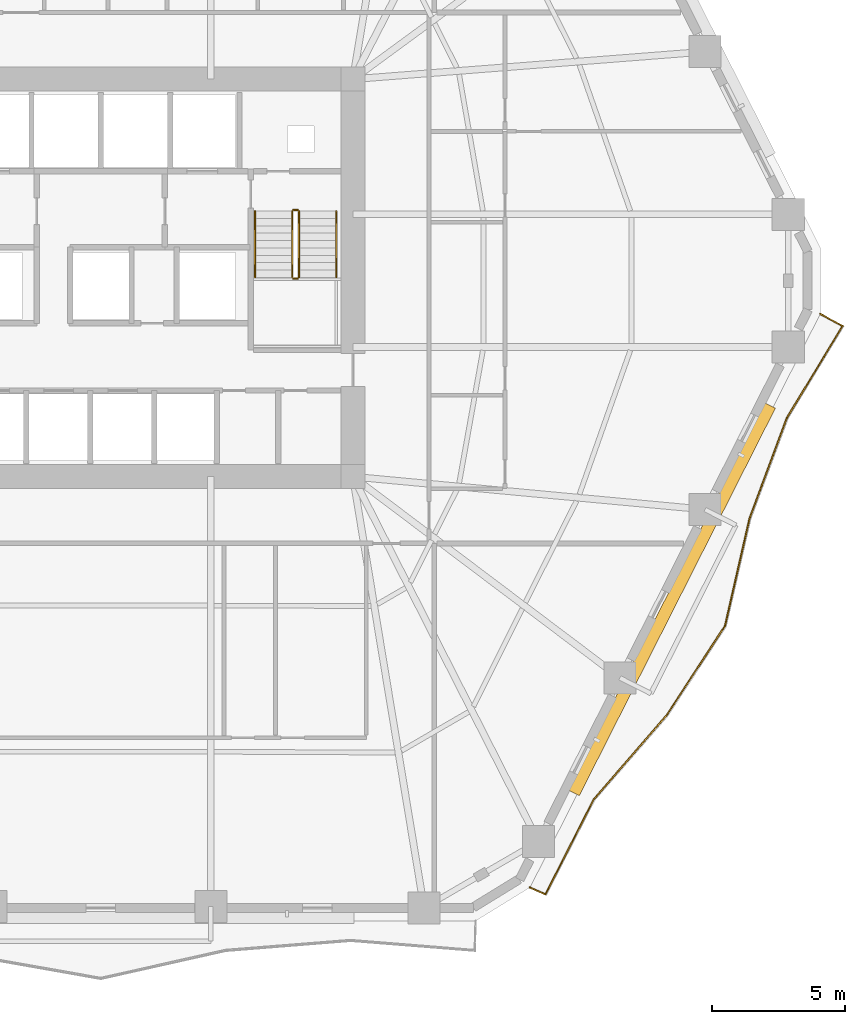
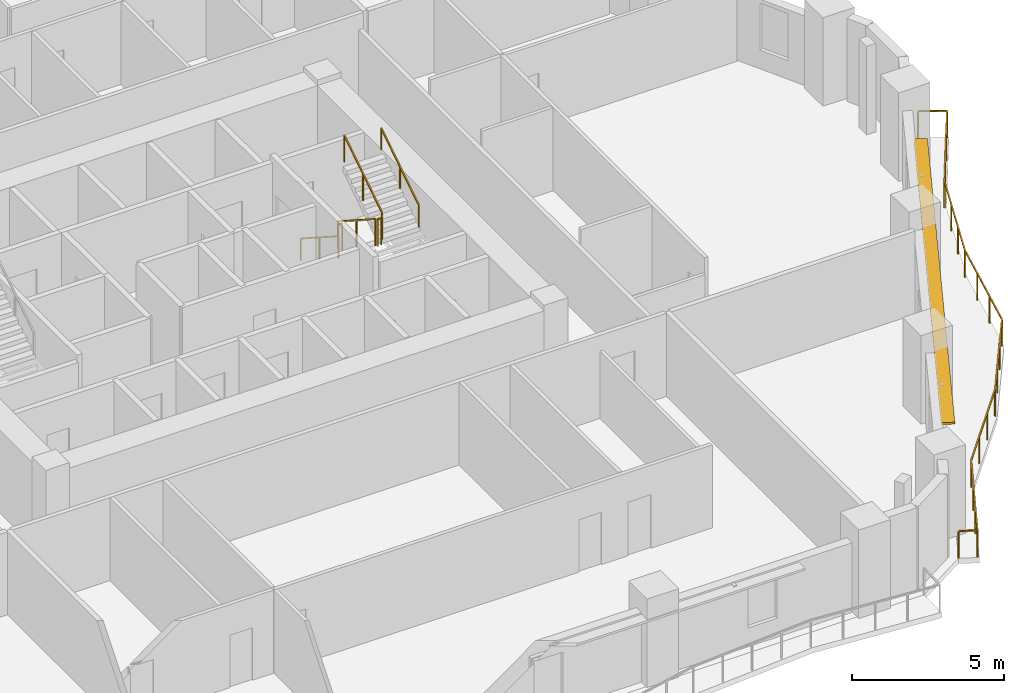
# One storey, part 12 of 13: 7 railings, 1 shading device.
"""IFC4 building model written with IfcOpenShell, lengths in metres."""

from ifc_helpers import new_model, si_unit, direction, frame, origin, origin_2d, place, context, subcontext, project, spatial, rectangle, extrude, material, layer, layer_set, type_object, element, save


model = new_model("IFC4")

# Units and contexts
model_context = context("Model", 3, precision=1e-05, world=origin(), true_north=direction((0.0, 1.0)))
body_context = subcontext(model_context, "Body", "Model", "MODEL_VIEW")
ifc_project = project(units=[si_unit("LENGTHUNIT", "METRE"), si_unit("AREAUNIT", "SQUARE_METRE"), si_unit("VOLUMEUNIT", "CUBIC_METRE"), si_unit("PLANEANGLEUNIT", "RADIAN"), si_unit("MASSUNIT", "GRAM", prefix="KILO")], contexts=[model_context])

# Site, building, storey
site_placement = place(None, origin())
site = spatial("IfcSite", under=ifc_project, at=site_placement, CompositionType="ELEMENT")
building_placement = place(site_placement, origin())
building = spatial("IfcBuilding", under=site, at=building_placement, Name="Cinnabar Lancet Tower", CompositionType="ELEMENT")
storey_placement = place(building_placement, frame((0.0, 0.0, 49.75)))
storey = spatial("IfcBuildingStorey", under=building, at=storey_placement, Name="L12", CompositionType="ELEMENT", Elevation=49.75)

# Railing
ifc_material_1 = material(Name="Laminated safety glass and bronze stainless steel balustrade", Category="steel")
railing_type_1 = type_object("IfcRailingType", Name="ENV-RLG-BAL-1100", PredefinedType="BALUSTRADE", material=ifc_material_1)
railing_1_placement = place(storey_placement, frame((48.488037109375, 3.049072265625, 0.0)))
element("IfcRailing", 1, at=railing_1_placement, inside=storey, type_object=railing_type_1, Name="L12 Face 2 Wave Balcony Balustrade", PredefinedType="BALUSTRADE", context=body_context, shape_type="SweptSolid", body=[
    extrude(rectangle(XDim=0.048095703125, YDim=0.048095703125, at=origin_2d()), frame((0.0, 0.0, 1.076171875), z_axis=(0.913986914897, -0.405743662178, 0.0), x_axis=(0.405743662178, 0.913986914897, 0.0)), (0.0, 0.0, 1.0), 0.631103515625),
    extrude(rectangle(XDim=0.048095703125, YDim=0.048095703125, at=origin_2d()), frame((0.576904296875, -0.256103515625, 1.076171875), z_axis=(0.45380351947, 0.891101770684, 0.0), x_axis=(-0.891101770684, 0.45380351947, 0.0)), (0.0, 0.0, 1.0), 4.008544921875),
    extrude(rectangle(XDim=0.048095703125, YDim=0.048095703125, at=origin_2d()), frame((2.39599609375, 3.31591796875, 1.076171875), z_axis=(0.655616601424, 0.75509394908, 0.0), x_axis=(-0.75509394908, 0.655616601424, 0.0)), (0.0, 0.0, 1.0), 4.13037109375),
    extrude(rectangle(XDim=0.048095703125, YDim=0.048095703125, at=origin_2d()), frame((5.10400390625, 6.434814453125, 1.076171875), z_axis=(0.547073099998, 0.837084836357, 0.0), x_axis=(-0.837084836357, 0.547073099998, 0.0)), (0.0, 0.0, 1.0), 4.03076171875),
    extrude(rectangle(XDim=0.048095703125, YDim=0.048095703125, at=origin_2d()), frame((7.30908203125, 9.808837890625, 1.076171875), z_axis=(0.222966191511, 0.974826178066, 0.0), x_axis=(-0.974826178066, 0.222966191511, 0.0)), (0.0, 0.0, 1.0), 4.125732421875),
    extrude(rectangle(XDim=0.048095703125, YDim=0.048095703125, at=origin_2d()), frame((8.22900390625, 13.830810546875, 1.076171875), z_axis=(0.348195650462, 0.937421884212, 0.0), x_axis=(-0.937421884212, 0.348195650462, 0.0)), (0.0, 0.0, 1.0), 4.032470703125),
    extrude(rectangle(XDim=0.048095703125, YDim=0.048095703125, at=origin_2d()), frame((9.633056640625, 17.61083984375, 1.076171875), z_axis=(0.517896302381, 0.855443405481, 0.0), x_axis=(-0.855443405481, 0.517896302381, 0.0)), (0.0, 0.0, 1.0), 4.017822265625),
    extrude(rectangle(XDim=0.048095703125, YDim=0.048095703125, at=origin_2d()), frame((11.7138671875, 21.0478515625, 1.076171875), z_axis=(-0.878249048772, 0.478203521872, 0.0), x_axis=(-0.478203521872, -0.878249048772, 0.0)), (0.0, 0.0, 1.0), 0.94970703125),
    extrude(rectangle(XDim=0.0419921875, YDim=0.0419921875, at=origin_2d()), origin(), (0.0, 0.0, 1.0), 1.052001953125),
    extrude(rectangle(XDim=0.0419921875, YDim=0.0419921875, at=origin_2d()), frame((0.576904296875, -0.256103515625, 0.0)), (0.0, 0.0, 1.0), 1.052001953125),
    extrude(rectangle(XDim=0.0419921875, YDim=0.0419921875, at=origin_2d()), frame((1.183349609375, 0.9345703125, 0.0)), (0.0, 0.0, 1.0), 1.052001953125),
    extrude(rectangle(XDim=0.0419921875, YDim=0.0419921875, at=origin_2d()), frame((1.78955078125, 2.125244140625, 0.0)), (0.0, 0.0, 1.0), 1.052001953125),
    extrude(rectangle(XDim=0.0419921875, YDim=0.0419921875, at=origin_2d()), frame((2.39599609375, 3.31591796875, 0.0)), (0.0, 0.0, 1.0), 1.052001953125),
    extrude(rectangle(XDim=0.0419921875, YDim=0.0419921875, at=origin_2d()), frame((3.298583984375, 4.35546875, 0.0)), (0.0, 0.0, 1.0), 1.052001953125),
    extrude(rectangle(XDim=0.0419921875, YDim=0.0419921875, at=origin_2d()), frame((4.201416015625, 5.395263671875, 0.0)), (0.0, 0.0, 1.0), 1.052001953125),
    extrude(rectangle(XDim=0.0419921875, YDim=0.0419921875, at=origin_2d()), frame((5.10400390625, 6.434814453125, 0.0)), (0.0, 0.0, 1.0), 1.052001953125),
    extrude(rectangle(XDim=0.0419921875, YDim=0.0419921875, at=origin_2d()), frame((5.839111328125, 7.5595703125, 0.0)), (0.0, 0.0, 1.0), 1.052001953125),
    extrude(rectangle(XDim=0.0419921875, YDim=0.0419921875, at=origin_2d()), frame((6.573974609375, 8.68408203125, 0.0)), (0.0, 0.0, 1.0), 1.052001953125),
    extrude(rectangle(XDim=0.0419921875, YDim=0.0419921875, at=origin_2d()), frame((7.30908203125, 9.808837890625, 0.0)), (0.0, 0.0, 1.0), 1.052001953125),
    extrude(rectangle(XDim=0.0419921875, YDim=0.0419921875, at=origin_2d()), frame((7.61572265625, 11.1494140625, 0.0)), (0.0, 0.0, 1.0), 1.052001953125),
    extrude(rectangle(XDim=0.0419921875, YDim=0.0419921875, at=origin_2d()), frame((7.92236328125, 12.490234375, 0.0)), (0.0, 0.0, 1.0), 1.052001953125),
    extrude(rectangle(XDim=0.0419921875, YDim=0.0419921875, at=origin_2d()), frame((8.22900390625, 13.830810546875, 0.0)), (0.0, 0.0, 1.0), 1.052001953125),
    extrude(rectangle(XDim=0.0419921875, YDim=0.0419921875, at=origin_2d()), frame((8.697021484375, 15.0908203125, 0.0)), (0.0, 0.0, 1.0), 1.052001953125),
    extrude(rectangle(XDim=0.0419921875, YDim=0.0419921875, at=origin_2d()), frame((9.1650390625, 16.350830078125, 0.0)), (0.0, 0.0, 1.0), 1.052001953125),
    extrude(rectangle(XDim=0.0419921875, YDim=0.0419921875, at=origin_2d()), frame((9.633056640625, 17.61083984375, 0.0)), (0.0, 0.0, 1.0), 1.052001953125),
    extrude(rectangle(XDim=0.0419921875, YDim=0.0419921875, at=origin_2d()), frame((10.32666015625, 18.756591796875, 0.0)), (0.0, 0.0, 1.0), 1.052001953125),
    extrude(rectangle(XDim=0.0419921875, YDim=0.0419921875, at=origin_2d()), frame((11.020263671875, 19.902099609375, 0.0)), (0.0, 0.0, 1.0), 1.052001953125),
    extrude(rectangle(XDim=0.0419921875, YDim=0.0419921875, at=origin_2d()), frame((11.7138671875, 21.0478515625, 0.0)), (0.0, 0.0, 1.0), 1.052001953125),
    extrude(rectangle(XDim=0.0419921875, YDim=0.0419921875, at=origin_2d()), frame((10.8798828125, 21.501953125, 0.0)), (0.0, 0.0, 1.0), 1.052001953125),
])

# Shading device
ifc_material_2 = material(Name="Pale limestone architectural aluminium sunshade", Category="masonry")
ifc_layer = layer(ifc_material_2, 0.080078125)
ifc_layer_set = layer_set([ifc_layer], Name="Pale limestone architectural aluminium sunshade")
shading_device_type = type_object("IfcShadingDeviceType", Name="ENV-SHD-LVR-450", PredefinedType="JALOUSIE", material=ifc_layer_set)
shading_device_placement = place(storey_placement, frame((53.81005859375, 13.85595703125, 2.639892578125), z_axis=(0.0, 0.0, 1.0), x_axis=(0.451500573218, 0.892270829056, 0.0)))
element("IfcShadingDevice", 2, at=shading_device_placement, inside=storey, type_object=shading_device_type, Name="L12 Face 2 Horizontal Sunshade Canopy", PredefinedType="JALOUSIE", context=body_context, shape_type="SweptSolid", body=[
    extrude(rectangle(XDim=16.279052734375, YDim=0.449951171875, at=origin_2d()), origin(), (0.0, 0.0, 1.0), 0.080078125),
])

# Railings
ifc_material_3 = material(Name="Painted galvanized steel balustrade", Category="steel")
railing_type_2 = type_object("IfcRailingType", Name="GUARD-STAIR", PredefinedType="GUARDRAIL", material=ifc_material_3)
railing_2_placement = place(storey_placement, frame((39.574951171875, 28.39990234375, 0.177490234375)))
element("IfcRailing", 3, at=railing_2_placement, inside=storey, type_object=railing_type_2, Name="L12 ST-2 stair guard 1", PredefinedType="GUARDRAIL", context=body_context, shape_type="SweptSolid", body=[
    extrude(rectangle(XDim=0.048095703125, YDim=0.048095703125, at=origin_2d()), frame((0.0, 0.0, 1.076171875), z_axis=(0.0, -0.840183358697, 0.542302428327), x_axis=(1.0, 0.0, 0.0)), (0.0, 0.0, 1.0), 2.945556640625),
    extrude(rectangle(XDim=0.0419921875, YDim=0.0419921875, at=origin_2d()), origin(), (0.0, 0.0, 1.0), 1.052001953125),
    extrude(rectangle(XDim=0.0419921875, YDim=0.0419921875, at=origin_2d()), frame((0.0, -1.2373046875, 0.798828125)), (0.0, 0.0, 1.0), 1.052001953125),
    extrude(rectangle(XDim=0.0419921875, YDim=0.0419921875, at=origin_2d()), frame((0.0, -2.474853515625, 1.597412109375)), (0.0, 0.0, 1.0), 1.052001953125),
])
railing_3_placement = place(storey_placement, frame((39.625, 25.875, 1.77490234375)))
element("IfcRailing", 4, at=railing_3_placement, inside=storey, type_object=railing_type_2, Name="L12 ST-2 stair guard 2", PredefinedType="GUARDRAIL", context=body_context, shape_type="SweptSolid", body=[
    extrude(rectangle(XDim=0.048095703125, YDim=0.048095703125, at=origin_2d()), frame((0.0, 0.0, 1.076171875), z_axis=(1.0, 0.0, 0.0), x_axis=(0.0, 1.0, 0.0)), (0.0, 0.0, 1.0), 0.14990234375),
    extrude(rectangle(XDim=0.0419921875, YDim=0.0419921875, at=origin_2d()), origin(), (0.0, 0.0, 1.0), 1.052001953125),
    extrude(rectangle(XDim=0.0419921875, YDim=0.0419921875, at=origin_2d()), frame((0.14990234375, 0.0, 0.0)), (0.0, 0.0, 1.0), 1.052001953125),
])
railing_4_placement = place(storey_placement, frame((39.824951171875, 25.925048828125, 1.952392578125)))
element("IfcRailing", 5, at=railing_4_placement, inside=storey, type_object=railing_type_2, Name="L12 ST-2 stair guard 3", PredefinedType="GUARDRAIL", context=body_context, shape_type="SweptSolid", body=[
    extrude(rectangle(XDim=0.048095703125, YDim=0.048095703125, at=origin_2d()), frame((0.0, 0.0, 1.076171875), z_axis=(0.0, 0.84014559416, 0.542360932049), x_axis=(-1.0, 0.0, 0.0)), (0.0, 0.0, 1.0), 2.94580078125),
    extrude(rectangle(XDim=0.0419921875, YDim=0.0419921875, at=origin_2d()), origin(), (0.0, 0.0, 1.0), 1.052001953125),
    extrude(rectangle(XDim=0.0419921875, YDim=0.0419921875, at=origin_2d()), frame((0.0, 1.2373046875, 0.798828125)), (0.0, 0.0, 1.0), 1.052001953125),
    extrude(rectangle(XDim=0.0419921875, YDim=0.0419921875, at=origin_2d()), frame((0.0, 2.474853515625, 1.59765625)), (0.0, 0.0, 1.0), 1.052001953125),
])
railing_5_placement = place(storey_placement, frame((39.625, 28.449951171875, 0.0)))
element("IfcRailing", 6, at=railing_5_placement, inside=storey, type_object=railing_type_2, Name="L12 ST-2 stair guard 4", PredefinedType="GUARDRAIL", context=body_context, shape_type="SweptSolid", body=[
    extrude(rectangle(XDim=0.048095703125, YDim=0.048095703125, at=origin_2d()), frame((0.0, 0.0, 1.076171875), z_axis=(1.0, 0.0, 0.0), x_axis=(0.0, 1.0, 0.0)), (0.0, 0.0, 1.0), 0.14990234375),
    extrude(rectangle(XDim=0.0419921875, YDim=0.0419921875, at=origin_2d()), origin(), (0.0, 0.0, 1.0), 1.052001953125),
    extrude(rectangle(XDim=0.0419921875, YDim=0.0419921875, at=origin_2d()), frame((0.14990234375, 0.0, 0.0)), (0.0, 0.0, 1.0), 1.052001953125),
])
ifc_material_4 = material(Name="Brushed stainless steel handrail", Category="steel")
railing_type_3 = type_object("IfcRailingType", Name="HANDRAIL-STAIR", PredefinedType="HANDRAIL", material=ifc_material_4)
railing_6_placement = place(storey_placement, frame((38.175048828125, 28.39990234375, 0.177490234375)))
element("IfcRailing", 7, at=railing_6_placement, inside=storey, type_object=railing_type_3, Name="L12 ST-2 stair handrail 1", PredefinedType="HANDRAIL", context=body_context, shape_type="SweptSolid", body=[
    extrude(rectangle(XDim=0.048095703125, YDim=0.048095703125, at=origin_2d()), frame((0.0, 0.0, 0.8759765625), z_axis=(0.0, -0.840183358697, 0.542302428327), x_axis=(1.0, 0.0, 0.0)), (0.0, 0.0, 1.0), 2.945556640625),
    extrude(rectangle(XDim=0.0419921875, YDim=0.0419921875, at=origin_2d()), origin(), (0.0, 0.0, 1.0), 0.851806640625),
    extrude(rectangle(XDim=0.0419921875, YDim=0.0419921875, at=origin_2d()), frame((0.0, -1.2373046875, 0.798828125)), (0.0, 0.0, 1.0), 0.851806640625),
    extrude(rectangle(XDim=0.0419921875, YDim=0.0419921875, at=origin_2d()), frame((0.0, -2.474853515625, 1.597412109375)), (0.0, 0.0, 1.0), 0.851806640625),
])
railing_7_placement = place(storey_placement, frame((41.22509765625, 25.925048828125, 1.952392578125)))
element("IfcRailing", 8, at=railing_7_placement, inside=storey, type_object=railing_type_3, Name="L12 ST-2 stair handrail 2", PredefinedType="HANDRAIL", context=body_context, shape_type="SweptSolid", body=[
    extrude(rectangle(XDim=0.048095703125, YDim=0.048095703125, at=origin_2d()), frame((0.0, 0.0, 0.8759765625), z_axis=(0.0, 0.84014559416, 0.542360932049), x_axis=(-1.0, 0.0, 0.0)), (0.0, 0.0, 1.0), 2.94580078125),
    extrude(rectangle(XDim=0.0419921875, YDim=0.0419921875, at=origin_2d()), origin(), (0.0, 0.0, 1.0), 0.851806640625),
    extrude(rectangle(XDim=0.0419921875, YDim=0.0419921875, at=origin_2d()), frame((0.0, 1.2373046875, 0.798828125)), (0.0, 0.0, 1.0), 0.851806640625),
    extrude(rectangle(XDim=0.0419921875, YDim=0.0419921875, at=origin_2d()), frame((0.0, 2.474853515625, 1.59765625)), (0.0, 0.0, 1.0), 0.851806640625),
])

save(model, "model.ifc")
